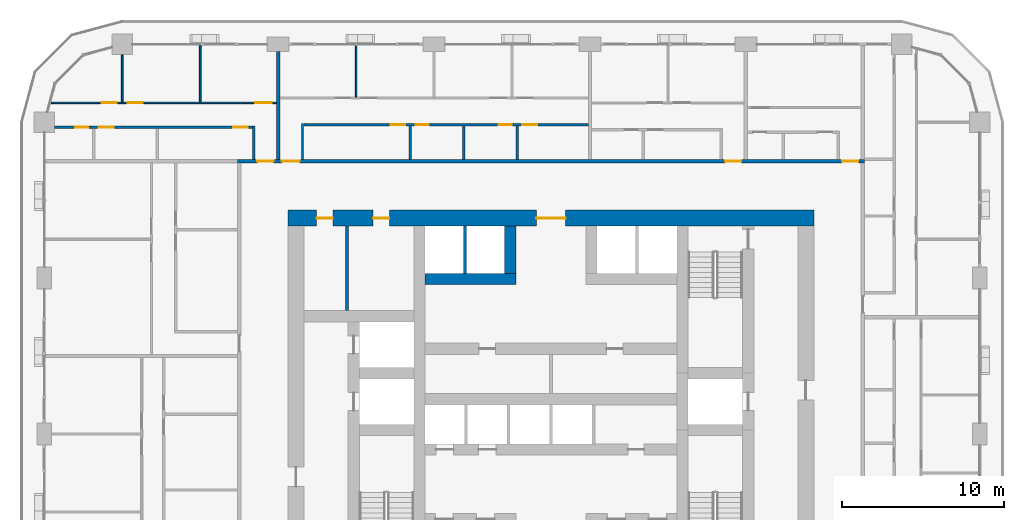
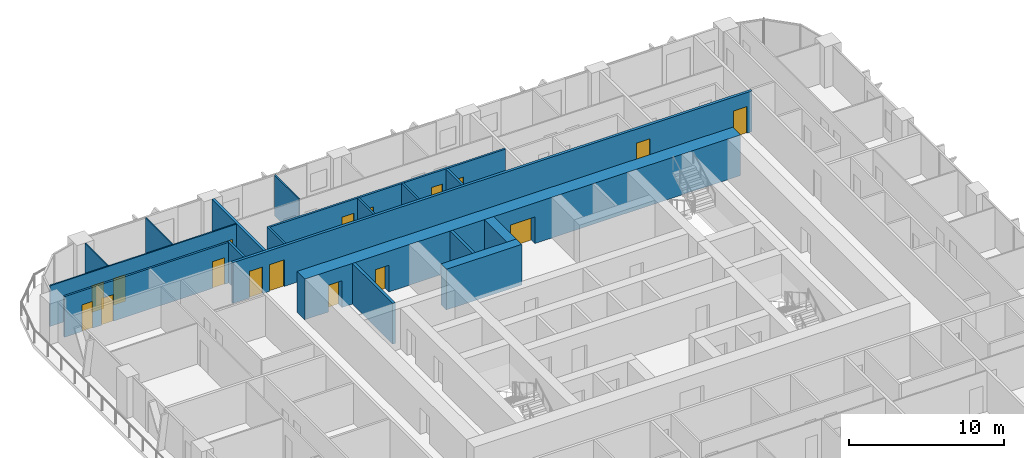
# One storey, part 13 of 21: 18 walls, 17 doors, 17 openings.
"""IFC4 building model written with IfcOpenShell, lengths in metres."""

from ifc_helpers import new_model, si_unit, direction, frame, frame_2d, origin, place, context, subcontext, project, spatial, rectangle, extrude, material, layer, layer_set, type_object, element, fill, save


model = new_model("IFC4")

# Units and contexts
model_context = context("Model", 3, precision=1e-05, world=origin(), true_north=direction((0.0, 1.0)))
body_context = subcontext(model_context, "Body", "Model", "MODEL_VIEW")
ifc_project = project(units=[si_unit("LENGTHUNIT", "METRE"), si_unit("AREAUNIT", "SQUARE_METRE"), si_unit("VOLUMEUNIT", "CUBIC_METRE"), si_unit("PLANEANGLEUNIT", "RADIAN"), si_unit("MASSUNIT", "GRAM", prefix="KILO")], contexts=[model_context])

# Site, building, storey
site_placement = place(None, origin())
site = spatial("IfcSite", under=ifc_project, at=site_placement, CompositionType="ELEMENT")
building_placement = place(site_placement, origin())
building = spatial("IfcBuilding", under=site, at=building_placement, Name="Madar Terraces", CompositionType="ELEMENT")
storey_placement = place(building_placement, frame((0.0, 0.0, 29.39990234375)))
storey = spatial("IfcBuildingStorey", under=building, at=storey_placement, Name="L06", CompositionType="ELEMENT", Elevation=29.39990234375)

# Walls
ifc_material_1 = material(Name="Concrete C80/95", Category="concrete")
ifc_layer_1 = layer(ifc_material_1, 0.699951171875)
ifc_layer_set_1 = layer_set([ifc_layer_1], Name="Concrete C80/95 (CIW1 RC wall 700)")
wall_type_1 = type_object("IfcWallType", Name="CIW1 RC wall 700", PredefinedType="SHEAR", material=ifc_layer_set_1)
wall_1_placement = place(storey_placement, frame((23.449951171875, 33.550048828125, 0.0), z_axis=(0.0, 0.0, 1.0), x_axis=(1.0, 0.0, 0.0)))
element("IfcWall", 1, at=wall_1_placement, inside=storey, type_object=wall_type_1, Name="CORE SHAFT WALL", PredefinedType="SHEAR", context=body_context, shape_type="SweptSolid", body=[
    extrude(rectangle(XDim=5.60009765625, YDim=0.699951171875, at=frame_2d((2.800048828125, 0.0))), origin(), (0.0, 0.0, 1.0), 3.2001953125),
])
wall_2_placement = place(storey_placement, frame((28.699951171875, 33.89990234375, 0.0), z_axis=(0.0, 0.0, 1.0), x_axis=(0.0, 1.0, 0.0)))
element("IfcWall", 2, at=wall_2_placement, inside=storey, type_object=wall_type_1, Name="CORE SHAFT WALL", PredefinedType="SHEAR", context=body_context, shape_type="SweptSolid", body=[
    extrude(rectangle(XDim=2.900146484375, YDim=0.699951171875, at=frame_2d((1.4501953125, 0.0))), origin(), (0.0, 0.0, 1.0), 3.2001953125),
])

# Wall, openings, doors
ifc_material_2 = material(Name="Concrete C80/95", Category="concrete")
ifc_layer_2 = layer(ifc_material_2, 1.0)
ifc_layer_set_2 = layer_set([ifc_layer_2], Name="Concrete C80/95 (CRW1 RC wall 1000)")
wall_type_2 = type_object("IfcWallType", Name="CRW1 RC wall 1000", PredefinedType="SHEAR", material=ifc_layer_set_2)
wall_3_placement = place(storey_placement, frame((15.0, 37.300048828125, 0.0), z_axis=(0.0, 0.0, 1.0), x_axis=(1.0, 0.0, 0.0)))
wall_3 = element("IfcWall", 3, at=wall_3_placement, inside=storey, type_object=wall_type_2, Name="CORE OUTER WALL", PredefinedType="SHEAR", context=body_context, shape_type="SweptSolid", body=[
    extrude(rectangle(XDim=32.39990234375, YDim=1.0, at=frame_2d((16.199951171875, 0.0))), origin(), (0.0, 0.0, 1.0), 3.2001953125),
])
opening_1_placement = place(wall_3_placement, frame((15.300048828125, 0.0, 0.0)))
opening_1 = element("IfcOpeningElement", 4, at=opening_1_placement, cuts=wall_3, Name="Opening KD1", PredefinedType="OPENING", context=body_context, shape_type="SweptSolid", body=[
    extrude(rectangle(XDim=1.800048828125, YDim=2.10009765625, at=frame_2d((0.89990234375, 1.050048828125))), frame((0.0, 0.510009765625, 0.0), z_axis=(0.0, -1.0, 0.0), x_axis=(1.0, 0.0, 0.0)), (0.0, 0.0, 1.0), 1.02001953125),
])
opening_2_placement = place(wall_3_placement, frame((1.766357421875, 0.0, 0.0)))
opening_2 = element("IfcOpeningElement", 5, at=opening_2_placement, cuts=wall_3, Name="Opening KD2", PredefinedType="OPENING", context=body_context, shape_type="SweptSolid", body=[
    extrude(rectangle(XDim=1.0, YDim=2.10009765625, at=frame_2d((0.5, 1.050048828125))), frame((0.0, 0.510009765625, 0.0), z_axis=(0.0, -1.0, 0.0), x_axis=(1.0, 0.0, 0.0)), (0.0, 0.0, 1.0), 1.02001953125),
])
opening_3_placement = place(wall_3_placement, frame((5.2412109375, 0.0, 0.0)))
opening_3 = element("IfcOpeningElement", 6, at=opening_3_placement, cuts=wall_3, Name="Opening KD2", PredefinedType="OPENING", context=body_context, shape_type="SweptSolid", body=[
    extrude(rectangle(XDim=1.0, YDim=2.10009765625, at=frame_2d((0.5, 1.050048828125))), frame((0.0, 0.510009765625, 0.0), z_axis=(0.0, -1.0, 0.0), x_axis=(1.0, 0.0, 0.0)), (0.0, 0.0, 1.0), 1.02001953125),
])
ifc_material_3 = material(Name="Steel door leaf", Category="steel")
door_type_1 = type_object("IfcDoorType", Name="Lobby door pair 1800 x 2100", OperationType="DOUBLE_DOOR_SINGLE_SWING", PredefinedType="DOOR", material=ifc_material_3)
door_1_placement = place(opening_1_placement, origin())
door_1 = element("IfcDoor", 7, at=door_1_placement, inside=storey, type_object=door_type_1, Name="LIFT LOBBY DOOR", OperationType="DOUBLE_DOOR_SINGLE_SWING", OverallHeight=2.10009765625, OverallWidth=1.800048828125, PredefinedType="DOOR", context=body_context, shape_type="SweptSolid", body=[
    extrude(rectangle(XDim=1.800048828125, YDim=2.10009765625, at=frame_2d((0.89990234375, 1.050048828125))), frame((0.0, 0.02490234375, 0.0), z_axis=(0.0, -1.0, 0.0), x_axis=(1.0, 0.0, 0.0)), (0.0, 0.0, 1.0), 0.050048828125),
])
fill(opening_1, door_1)
ifc_material_4 = material(Name="Steel door leaf", Category="steel")
door_type_2 = type_object("IfcDoorType", Name="Service room door 1000 x 2100", OperationType="NOTDEFINED", PredefinedType="DOOR", material=ifc_material_4)
door_2_placement = place(opening_2_placement, origin())
door_2 = element("IfcDoor", 8, at=door_2_placement, inside=storey, type_object=door_type_2, Name="SERVICE ROOM DOOR", OperationType="SINGLE_SWING_LEFT", OverallHeight=2.10009765625, OverallWidth=1.0, PredefinedType="DOOR", context=body_context, shape_type="SweptSolid", body=[
    extrude(rectangle(XDim=1.0, YDim=2.10009765625, at=frame_2d((0.5, 1.050048828125))), frame((0.0, 0.02490234375, 0.0), z_axis=(0.0, -1.0, 0.0), x_axis=(1.0, 0.0, 0.0)), (0.0, 0.0, 1.0), 0.050048828125),
])
fill(opening_2, door_2)
door_3_placement = place(opening_3_placement, origin())
door_3 = element("IfcDoor", 9, at=door_3_placement, inside=storey, type_object=door_type_2, Name="SERVICE ROOM DOOR", OperationType="SINGLE_SWING_RIGHT", OverallHeight=2.10009765625, OverallWidth=1.0, PredefinedType="DOOR", context=body_context, shape_type="SweptSolid", body=[
    extrude(rectangle(XDim=1.0, YDim=2.10009765625, at=frame_2d((0.5, 1.050048828125))), frame((0.0, 0.02490234375, 0.0), z_axis=(0.0, -1.0, 0.0), x_axis=(1.0, 0.0, 0.0)), (0.0, 0.0, 1.0), 0.050048828125),
])
fill(opening_3, door_3)

# Walls
ifc_material_5 = material(Name="Masonry blockwork", Category="masonry")
ifc_layer_3 = layer(ifc_material_5, 0.199951171875)
ifc_layer_set_3 = layer_set([ifc_layer_3], Name="Core partition 200 blockwork")
wall_type_3 = type_object("IfcWallType", Name="Core partition 200 blockwork", PredefinedType="PARTITIONING", material=ifc_layer_set_3)
wall_4_placement = place(storey_placement, frame((18.632568359375, 31.60009765625, 0.0), z_axis=(0.0, 0.0, 1.0), x_axis=(0.0, 1.0, 0.0)))
element("IfcWall", 10, at=wall_4_placement, inside=storey, type_object=wall_type_3, Name="SERVICE ROOM PARTITION", PredefinedType="PARTITIONING", context=body_context, shape_type="SweptSolid", body=[
    extrude(rectangle(XDim=5.199951171875, YDim=0.199951171875, at=frame_2d((2.60009765625, 0.0))), origin(), (0.0, 0.0, 1.0), 3.2001953125),
])
ifc_material_6 = material(Name="Concrete C40/50", Category="concrete")
ifc_layer_4 = layer(ifc_material_6, 0.199951171875)
ifc_layer_set_4 = layer_set([ifc_layer_4], Name="Core shaft dividing wall 200 C40/50")
wall_type_4 = type_object("IfcWallType", Name="Core shaft dividing wall 200 C40/50", PredefinedType="SOLIDWALL", material=ifc_layer_set_4)
wall_5_placement = place(storey_placement, frame((25.89990234375, 33.89990234375, 0.0), z_axis=(0.0, 0.0, 1.0), x_axis=(0.0, 1.0, 0.0)))
element("IfcWall", 11, at=wall_5_placement, inside=storey, type_object=wall_type_4, Name="SHAFT DIVIDING WALL", PredefinedType="SOLIDWALL", context=body_context, shape_type="SweptSolid", body=[
    extrude(rectangle(XDim=2.900146484375, YDim=0.199951171875, at=frame_2d((1.4501953125, 0.0))), origin(), (0.0, 0.0, 1.0), 3.2001953125),
])
ifc_material_7 = material(Name="Gypsum board on steel studs", Category="steel")
ifc_layer_5 = layer(ifc_material_7, 0.10009765625)
ifc_layer_set_5 = layer_set([ifc_layer_5], Name="Flat partition 100")
wall_type_5 = type_object("IfcWallType", Name="Flat partition 100", PredefinedType="PARTITIONING", material=ifc_layer_set_5)
wall_6_placement = place(storey_placement, frame((19.199951171875, 44.75, 0.0), z_axis=(0.0, 0.0, 1.0), x_axis=(0.0, 1.0, 0.0)))
element("IfcWall", 12, at=wall_6_placement, inside=storey, type_object=wall_type_5, Name="Flat partition 100", PredefinedType="PARTITIONING", context=body_context, shape_type="SweptSolid", body=[
    extrude(rectangle(XDim=3.14990234375, YDim=0.10009765625, at=frame_2d((1.574951171875, 0.0))), origin(), (0.0, 0.0, 1.0), 3.2001953125),
])
wall_7_placement = place(storey_placement, frame((9.60009765625, 44.449951171875, 0.0), z_axis=(0.0, 0.0, 1.0), x_axis=(0.0, 1.0, 0.0)))
element("IfcWall", 13, at=wall_7_placement, inside=storey, type_object=wall_type_5, Name="Flat partition 100", PredefinedType="PARTITIONING", context=body_context, shape_type="SweptSolid", body=[
    extrude(rectangle(XDim=3.449951171875, YDim=0.10009765625, at=frame_2d((1.72509765625, 0.0))), origin(), (0.0, 0.0, 1.0), 3.2001953125),
])
wall_8_placement = place(storey_placement, frame((4.800048828125, 44.449951171875, 0.0), z_axis=(0.0, 0.0, 1.0), x_axis=(0.0, 1.0, 0.0)))
element("IfcWall", 14, at=wall_8_placement, inside=storey, type_object=wall_type_5, Name="Flat partition 100", PredefinedType="PARTITIONING", context=body_context, shape_type="SweptSolid", body=[
    extrude(rectangle(XDim=2.925048828125, YDim=0.10009765625, at=frame_2d((1.46240234375, 0.0))), origin(), (0.0, 0.0, 1.0), 3.2001953125),
])

# Wall, openings, doors
wall_9_placement = place(storey_placement, frame((0.42138671875, 44.39990234375, 0.0), z_axis=(0.0, 0.0, 1.0), x_axis=(1.0, 0.0, 0.0)))
wall_9 = element("IfcWall", 15, at=wall_9_placement, inside=storey, type_object=wall_type_5, Name="Flat partition 100", PredefinedType="PARTITIONING", context=body_context, shape_type="SweptSolid", body=[
    extrude(rectangle(XDim=13.878662109375, YDim=0.10009765625, at=frame_2d((6.939453125, 0.0))), origin(), (0.0, 0.0, 1.0), 3.2001953125),
])
opening_4_placement = place(wall_9_placement, frame((12.57861328125, 0.0, 0.0)))
opening_4 = element("IfcOpeningElement", 16, at=opening_4_placement, cuts=wall_9, Name="Opening D3", PredefinedType="OPENING", context=body_context, shape_type="SweptSolid", body=[
    extrude(rectangle(XDim=1.0, YDim=2.10009765625, at=frame_2d((0.5, 1.050048828125))), frame((0.0, 0.06005859375, 0.0), z_axis=(0.0, -1.0, 0.0), x_axis=(1.0, 0.0, 0.0)), (0.0, 0.0, 1.0), 0.1201171875),
])
opening_5_placement = place(wall_9_placement, frame((4.728515625, 0.0, 0.0)))
opening_5 = element("IfcOpeningElement", 17, at=opening_5_placement, cuts=wall_9, Name="Opening D2", PredefinedType="OPENING", context=body_context, shape_type="SweptSolid", body=[
    extrude(rectangle(XDim=0.89990234375, YDim=2.10009765625, at=frame_2d((0.449951171875, 1.050048828125))), frame((0.0, 0.06005859375, 0.0), z_axis=(0.0, -1.0, 0.0), x_axis=(1.0, 0.0, 0.0)), (0.0, 0.0, 1.0), 0.1201171875),
])
opening_6_placement = place(wall_9_placement, frame((3.12841796875, 0.0, 0.0)))
opening_6 = element("IfcOpeningElement", 18, at=opening_6_placement, cuts=wall_9, Name="Opening D2", PredefinedType="OPENING", context=body_context, shape_type="SweptSolid", body=[
    extrude(rectangle(XDim=0.89990234375, YDim=2.10009765625, at=frame_2d((0.449951171875, 1.050048828125))), frame((0.0, 0.06005859375, 0.0), z_axis=(0.0, -1.0, 0.0), x_axis=(1.0, 0.0, 0.0)), (0.0, 0.0, 1.0), 0.1201171875),
])
ifc_material_8 = material(Name="Timber door leaf", Category="wood")
door_type_3 = type_object("IfcDoorType", Name="Flat living room door 1000", OperationType="NOTDEFINED", PredefinedType="DOOR", material=ifc_material_8)
door_4_placement = place(opening_4_placement, origin())
door_4 = element("IfcDoor", 19, at=door_4_placement, inside=storey, type_object=door_type_3, Name="Flat living room door 1000", OperationType="SINGLE_SWING_RIGHT", OverallHeight=2.10009765625, OverallWidth=1.0, PredefinedType="DOOR", context=body_context, shape_type="SweptSolid", body=[
    extrude(rectangle(XDim=1.0, YDim=2.10009765625, at=frame_2d((0.5, 1.050048828125))), frame((0.0, 0.02490234375, 0.0), z_axis=(0.0, -1.0, 0.0), x_axis=(1.0, 0.0, 0.0)), (0.0, 0.0, 1.0), 0.050048828125),
])
fill(opening_4, door_4)
ifc_material_9 = material(Name="Timber door leaf", Category="wood")
door_type_4 = type_object("IfcDoorType", Name="Flat room door 900", OperationType="NOTDEFINED", PredefinedType="DOOR", material=ifc_material_9)
door_5_placement = place(opening_5_placement, origin())
door_5 = element("IfcDoor", 20, at=door_5_placement, inside=storey, type_object=door_type_4, Name="Flat room door 900", OperationType="SINGLE_SWING_LEFT", OverallHeight=2.10009765625, OverallWidth=0.89990234375, PredefinedType="DOOR", context=body_context, shape_type="SweptSolid", body=[
    extrude(rectangle(XDim=0.89990234375, YDim=2.10009765625, at=frame_2d((0.449951171875, 1.050048828125))), frame((0.0, 0.02490234375, 0.0), z_axis=(0.0, -1.0, 0.0), x_axis=(1.0, 0.0, 0.0)), (0.0, 0.0, 1.0), 0.050048828125),
])
fill(opening_5, door_5)
door_6_placement = place(opening_6_placement, origin())
door_6 = element("IfcDoor", 21, at=door_6_placement, inside=storey, type_object=door_type_4, Name="Flat room door 900", OperationType="SINGLE_SWING_RIGHT", OverallHeight=2.10009765625, OverallWidth=0.89990234375, PredefinedType="DOOR", context=body_context, shape_type="SweptSolid", body=[
    extrude(rectangle(XDim=0.89990234375, YDim=2.10009765625, at=frame_2d((0.449951171875, 1.050048828125))), frame((0.0, 0.02490234375, 0.0), z_axis=(0.0, -1.0, 0.0), x_axis=(1.0, 0.0, 0.0)), (0.0, 0.0, 1.0), 0.050048828125),
])
fill(opening_6, door_6)

ifc_material_10 = material(Name="Lightweight blockwork", Category="masonry")
ifc_layer_6 = layer(ifc_material_10, 0.199951171875)
ifc_layer_set_6 = layer_set([ifc_layer_6], Name="Flat party and entrance wall 200")
wall_type_6 = type_object("IfcWallType", Name="Flat party and entrance wall 200", PredefinedType="PARTITIONING", material=ifc_layer_set_6)
wall_10_placement = place(storey_placement, frame((11.89990234375, 40.800048828125, 0.0), z_axis=(0.0, 0.0, 1.0), x_axis=(1.0, 0.0, 0.0)))
wall_10 = element("IfcWall", 22, at=wall_10_placement, inside=storey, type_object=wall_type_6, Name="Flat party and entrance wall 200", PredefinedType="PARTITIONING", context=body_context, shape_type="SweptSolid", body=[
    extrude(rectangle(XDim=38.60009765625, YDim=0.199951171875, at=frame_2d((19.300048828125, 0.0))), origin(), (0.0, 0.0, 1.0), 3.2001953125),
])
opening_7_placement = place(wall_10_placement, frame((37.22509765625, 0.0, 0.0)))
opening_7 = element("IfcOpeningElement", 23, at=opening_7_placement, cuts=wall_10, Name="Opening D1", PredefinedType="OPENING", context=body_context, shape_type="SweptSolid", body=[
    extrude(rectangle(XDim=1.0, YDim=2.10009765625, at=frame_2d((0.5, 1.050048828125))), frame((0.0, 0.10986328125, 0.0), z_axis=(0.0, -1.0, 0.0), x_axis=(1.0, 0.0, 0.0)), (0.0, 0.0, 1.0), 0.219970703125),
])
opening_8_placement = place(wall_10_placement, frame((30.02490234375, 0.0, 0.0)))
opening_8 = element("IfcOpeningElement", 24, at=opening_8_placement, cuts=wall_10, Name="Opening D1", PredefinedType="OPENING", context=body_context, shape_type="SweptSolid", body=[
    extrude(rectangle(XDim=1.0, YDim=2.10009765625, at=frame_2d((0.5, 1.050048828125))), frame((0.0, 0.10986328125, 0.0), z_axis=(0.0, -1.0, 0.0), x_axis=(1.0, 0.0, 0.0)), (0.0, 0.0, 1.0), 0.219970703125),
])
opening_9_placement = place(wall_10_placement, frame((2.72509765625, 0.0, 0.0)))
opening_9 = element("IfcOpeningElement", 25, at=opening_9_placement, cuts=wall_10, Name="Opening D6", PredefinedType="OPENING", context=body_context, shape_type="SweptSolid", body=[
    extrude(rectangle(XDim=1.10009765625, YDim=2.10009765625, at=frame_2d((0.550048828125, 1.050048828125))), frame((0.0, 0.10986328125, 0.0), z_axis=(0.0, -1.0, 0.0), x_axis=(1.0, 0.0, 0.0)), (0.0, 0.0, 1.0), 0.219970703125),
])
opening_10_placement = place(wall_10_placement, frame((1.22509765625, 0.0, 0.0)))
opening_10 = element("IfcOpeningElement", 26, at=opening_10_placement, cuts=wall_10, Name="Opening D1", PredefinedType="OPENING", context=body_context, shape_type="SweptSolid", body=[
    extrude(rectangle(XDim=1.0, YDim=2.10009765625, at=frame_2d((0.5, 1.050048828125))), frame((0.0, 0.10986328125, 0.0), z_axis=(0.0, -1.0, 0.0), x_axis=(1.0, 0.0, 0.0)), (0.0, 0.0, 1.0), 0.219970703125),
])
ifc_material_11 = material(Name="Timber fire door leaf", Category="wood")
door_type_5 = type_object("IfcDoorType", Name="Flat entrance door 1000 FD30S", OperationType="NOTDEFINED", PredefinedType="DOOR", material=ifc_material_11)
door_7_placement = place(opening_7_placement, origin())
door_7 = element("IfcDoor", 27, at=door_7_placement, inside=storey, type_object=door_type_5, Name="Flat entrance door 1000 FD30S", OperationType="SINGLE_SWING_RIGHT", OverallHeight=2.10009765625, OverallWidth=1.0, PredefinedType="DOOR", context=body_context, shape_type="SweptSolid", body=[
    extrude(rectangle(XDim=1.0, YDim=2.10009765625, at=frame_2d((0.5, 1.050048828125))), frame((0.0, 0.02490234375, 0.0), z_axis=(0.0, -1.0, 0.0), x_axis=(1.0, 0.0, 0.0)), (0.0, 0.0, 1.0), 0.050048828125),
])
fill(opening_7, door_7)
door_8_placement = place(opening_8_placement, origin())
door_8 = element("IfcDoor", 28, at=door_8_placement, inside=storey, type_object=door_type_5, Name="Flat entrance door 1000 FD30S", OperationType="SINGLE_SWING_RIGHT", OverallHeight=2.10009765625, OverallWidth=1.0, PredefinedType="DOOR", context=body_context, shape_type="SweptSolid", body=[
    extrude(rectangle(XDim=1.0, YDim=2.10009765625, at=frame_2d((0.5, 1.050048828125))), frame((0.0, 0.02490234375, 0.0), z_axis=(0.0, -1.0, 0.0), x_axis=(1.0, 0.0, 0.0)), (0.0, 0.0, 1.0), 0.050048828125),
])
fill(opening_8, door_8)
door_9_placement = place(opening_10_placement, origin())
door_9 = element("IfcDoor", 29, at=door_9_placement, inside=storey, type_object=door_type_5, Name="Flat entrance door 1000 FD30S", OperationType="SINGLE_SWING_RIGHT", OverallHeight=2.10009765625, OverallWidth=1.0, PredefinedType="DOOR", context=body_context, shape_type="SweptSolid", body=[
    extrude(rectangle(XDim=1.0, YDim=2.10009765625, at=frame_2d((0.5, 1.050048828125))), frame((0.0, 0.02490234375, 0.0), z_axis=(0.0, -1.0, 0.0), x_axis=(1.0, 0.0, 0.0)), (0.0, 0.0, 1.0), 0.050048828125),
])
fill(opening_10, door_9)
ifc_material_12 = material(Name="Timber fire door leaf", Category="wood")
door_type_6 = type_object("IfcDoorType", Name="Flat entrance door 1100 FD30S", OperationType="NOTDEFINED", PredefinedType="DOOR", material=ifc_material_12)
door_10_placement = place(opening_9_placement, origin())
door_10 = element("IfcDoor", 30, at=door_10_placement, inside=storey, type_object=door_type_6, Name="Flat entrance door 1100 FD30S", OperationType="SINGLE_SWING_LEFT", OverallHeight=2.10009765625, OverallWidth=1.10009765625, PredefinedType="DOOR", context=body_context, shape_type="SweptSolid", body=[
    extrude(rectangle(XDim=1.10009765625, YDim=2.10009765625, at=frame_2d((0.550048828125, 1.050048828125))), frame((0.0, 0.02490234375, 0.0), z_axis=(0.0, -1.0, 0.0), x_axis=(1.0, 0.0, 0.0)), (0.0, 0.0, 1.0), 0.050048828125),
])
fill(opening_9, door_10)

# Walls
wall_11_placement = place(storey_placement, frame((14.39990234375, 47.550048828125, 0.0), z_axis=(0.0, 0.0, 1.0), x_axis=(0.0, -1.0, 0.0)))
element("IfcWall", 31, at=wall_11_placement, inside=storey, type_object=wall_type_6, Name="Flat party and entrance wall 200", PredefinedType="PARTITIONING", context=body_context, shape_type="SweptSolid", body=[
    extrude(rectangle(XDim=6.650146484375, YDim=0.199951171875, at=frame_2d((3.3251953125, 0.0))), origin(), (0.0, 0.0, 1.0), 3.2001953125),
])
ifc_material_13 = material(Name="Lightweight blockwork", Category="masonry")
ifc_layer_7 = layer(ifc_material_13, 0.14990234375)
ifc_layer_set_7 = layer_set([ifc_layer_7], Name="Flat wet-room partition 150")
wall_type_7 = type_object("IfcWallType", Name="Flat wet-room partition 150", PredefinedType="PARTITIONING", material=ifc_layer_set_7)
for number, where, z_axis, x_axis, name in (
    (32, (22.546875, 40.89990234375, 0.0), (0.0, 0.0, 1.0), (0.0, 1.0, 0.0), "Flat wet-room partition 150"),
    (33, (25.832763671875, 40.89990234375, 0.0), (0.0, 0.0, 1.0), (0.0, 1.0, 0.0), "Flat wet-room partition 150"),
    (34, (29.11865234375, 40.89990234375, 0.0), (0.0, 0.0, 1.0), (0.0, 1.0, 0.0), "Flat wet-room partition 150"),
):
    element("IfcWall", number, at=place(storey_placement, frame(where, z_axis=z_axis, x_axis=x_axis)), inside=storey, type_object=wall_type_7, Name=name, PredefinedType="PARTITIONING", context=body_context, shape_type="SweptSolid", body=[
        extrude(rectangle(XDim=2.0751953125, YDim=0.14990234375, at=frame_2d((1.03759765625, 0.0))), origin(), (0.0, 0.0, 1.0), 3.2001953125),
    ])
wall_12_placement = place(storey_placement, frame((15.89990234375, 40.89990234375, 0.0), z_axis=(0.0, 0.0, 1.0), x_axis=(0.0, 1.0, 0.0)))
element("IfcWall", 35, at=wall_12_placement, inside=storey, type_object=wall_type_7, Name="Flat wet-room partition 150", PredefinedType="PARTITIONING", context=body_context, shape_type="SweptSolid", body=[
    extrude(rectangle(XDim=2.22509765625, YDim=0.14990234375, at=frame_2d((1.112548828125, 0.0))), origin(), (0.0, 0.0, 1.0), 3.2001953125),
])

# Wall, openings, doors
wall_13_placement = place(storey_placement, frame((33.5, 43.050048828125, 0.0), z_axis=(0.0, 0.0, 1.0), x_axis=(-1.0, 0.0, 0.0)))
wall_13 = element("IfcWall", 36, at=wall_13_placement, inside=storey, type_object=wall_type_7, Name="Flat wet-room partition 150", PredefinedType="PARTITIONING", context=body_context, shape_type="SweptSolid", body=[
    extrude(rectangle(XDim=17.52490234375, YDim=0.14990234375, at=frame_2d((8.762451171875, 0.0))), origin(), (0.0, 0.0, 1.0), 3.2001953125),
])
opening_11_placement = place(wall_13_placement, frame((11.278076171875, 0.0, 0.0)))
opening_11 = element("IfcOpeningElement", 37, at=opening_11_placement, cuts=wall_13, Name="Opening D2", PredefinedType="OPENING", context=body_context, shape_type="SweptSolid", body=[
    extrude(rectangle(XDim=0.89990234375, YDim=2.10009765625, at=frame_2d((0.449951171875, 1.050048828125))), frame((0.0, 0.0849609375, 0.0), z_axis=(0.0, -1.0, 0.0), x_axis=(1.0, 0.0, 0.0)), (0.0, 0.0, 1.0), 0.169921875),
])
opening_12_placement = place(wall_13_placement, frame((9.828125, 0.0, 0.0)))
opening_12 = element("IfcOpeningElement", 38, at=opening_12_placement, cuts=wall_13, Name="Opening D4", PredefinedType="OPENING", context=body_context, shape_type="SweptSolid", body=[
    extrude(rectangle(XDim=0.800048828125, YDim=2.10009765625, at=frame_2d((0.39990234375, 1.050048828125))), frame((0.0, 0.0849609375, 0.0), z_axis=(0.0, -1.0, 0.0), x_axis=(1.0, 0.0, 0.0)), (0.0, 0.0, 1.0), 0.169921875),
])
opening_13_placement = place(wall_13_placement, frame((4.706298828125, 0.0, 0.0)))
opening_13 = element("IfcOpeningElement", 39, at=opening_13_placement, cuts=wall_13, Name="Opening D7", PredefinedType="OPENING", context=body_context, shape_type="SweptSolid", body=[
    extrude(rectangle(XDim=0.800048828125, YDim=2.10009765625, at=frame_2d((0.39990234375, 1.050048828125))), frame((0.0, 0.0849609375, 0.0), z_axis=(0.0, -1.0, 0.0), x_axis=(1.0, 0.0, 0.0)), (0.0, 0.0, 1.0), 0.169921875),
])
opening_14_placement = place(wall_13_placement, frame((3.15625, 0.0, 0.0)))
opening_14 = element("IfcOpeningElement", 40, at=opening_14_placement, cuts=wall_13, Name="Opening D5", PredefinedType="OPENING", context=body_context, shape_type="SweptSolid", body=[
    extrude(rectangle(XDim=0.89990234375, YDim=2.10009765625, at=frame_2d((0.449951171875, 1.050048828125))), frame((0.0, 0.0849609375, 0.0), z_axis=(0.0, -1.0, 0.0), x_axis=(1.0, 0.0, 0.0)), (0.0, 0.0, 1.0), 0.169921875),
])
ifc_material_14 = material(Name="Timber door leaf", Category="wood")
door_type_7 = type_object("IfcDoorType", Name="Flat accessible bathroom door 900", OperationType="NOTDEFINED", PredefinedType="DOOR", material=ifc_material_14)
door_11_placement = place(opening_14_placement, origin())
door_11 = element("IfcDoor", 41, at=door_11_placement, inside=storey, type_object=door_type_7, Name="Flat accessible bathroom door 900", OperationType="SINGLE_SWING_RIGHT", OverallHeight=2.10009765625, OverallWidth=0.89990234375, PredefinedType="DOOR", context=body_context, shape_type="SweptSolid", body=[
    extrude(rectangle(XDim=0.89990234375, YDim=2.10009765625, at=frame_2d((0.449951171875, 1.050048828125))), frame((0.0, 0.02490234375, 0.0), z_axis=(0.0, -1.0, 0.0), x_axis=(1.0, 0.0, 0.0)), (0.0, 0.0, 1.0), 0.050048828125),
])
fill(opening_14, door_11)
ifc_material_15 = material(Name="Timber door leaf", Category="wood")
door_type_8 = type_object("IfcDoorType", Name="Flat bathroom door 800", OperationType="NOTDEFINED", PredefinedType="DOOR", material=ifc_material_15)
door_12_placement = place(opening_12_placement, origin())
door_12 = element("IfcDoor", 42, at=door_12_placement, inside=storey, type_object=door_type_8, Name="Flat bathroom door 800", OperationType="SINGLE_SWING_RIGHT", OverallHeight=2.10009765625, OverallWidth=0.800048828125, PredefinedType="DOOR", context=body_context, shape_type="SweptSolid", body=[
    extrude(rectangle(XDim=0.800048828125, YDim=2.10009765625, at=frame_2d((0.39990234375, 1.050048828125))), frame((0.0, 0.02490234375, 0.0), z_axis=(0.0, -1.0, 0.0), x_axis=(1.0, 0.0, 0.0)), (0.0, 0.0, 1.0), 0.050048828125),
])
fill(opening_12, door_12)
door_13_placement = place(opening_11_placement, origin())
door_13 = element("IfcDoor", 43, at=door_13_placement, inside=storey, type_object=door_type_4, Name="Flat room door 900", OperationType="SINGLE_SWING_LEFT", OverallHeight=2.10009765625, OverallWidth=0.89990234375, PredefinedType="DOOR", context=body_context, shape_type="SweptSolid", body=[
    extrude(rectangle(XDim=0.89990234375, YDim=2.10009765625, at=frame_2d((0.449951171875, 1.050048828125))), frame((0.0, 0.02490234375, 0.0), z_axis=(0.0, -1.0, 0.0), x_axis=(1.0, 0.0, 0.0)), (0.0, 0.0, 1.0), 0.050048828125),
])
fill(opening_11, door_13)
ifc_material_16 = material(Name="Timber door leaf", Category="wood")
door_type_9 = type_object("IfcDoorType", Name="Flat utility door 800", OperationType="NOTDEFINED", PredefinedType="DOOR", material=ifc_material_16)
door_14_placement = place(opening_13_placement, origin())
door_14 = element("IfcDoor", 44, at=door_14_placement, inside=storey, type_object=door_type_9, Name="Flat utility door 800", OperationType="SINGLE_SWING_LEFT", OverallHeight=2.10009765625, OverallWidth=0.800048828125, PredefinedType="DOOR", context=body_context, shape_type="SweptSolid", body=[
    extrude(rectangle(XDim=0.800048828125, YDim=2.10009765625, at=frame_2d((0.39990234375, 1.050048828125))), frame((0.0, 0.02490234375, 0.0), z_axis=(0.0, -1.0, 0.0), x_axis=(1.0, 0.0, 0.0)), (0.0, 0.0, 1.0), 0.050048828125),
])
fill(opening_13, door_14)

# Wall
wall_14_placement = place(storey_placement, frame((12.89990234375, 40.89990234375, 0.0), z_axis=(0.0, 0.0, 1.0), x_axis=(0.0, 1.0, 0.0)))
element("IfcWall", 45, at=wall_14_placement, inside=storey, type_object=wall_type_7, Name="Flat wet-room partition 150", PredefinedType="PARTITIONING", context=body_context, shape_type="SweptSolid", body=[
    extrude(rectangle(XDim=2.0751953125, YDim=0.14990234375, at=frame_2d((1.03759765625, 0.0))), origin(), (0.0, 0.0, 1.0), 3.2001953125),
])

# Wall, openings, doors
wall_15_placement = place(storey_placement, frame((12.824951171875, 42.89990234375, 0.0), z_axis=(0.0, 0.0, 1.0), x_axis=(-1.0, 0.0, 0.0)))
wall_15 = element("IfcWall", 46, at=wall_15_placement, inside=storey, type_object=wall_type_7, Name="Flat wet-room partition 150", PredefinedType="PARTITIONING", context=body_context, shape_type="SweptSolid", body=[
    extrude(rectangle(XDim=12.199951171875, YDim=0.14990234375, at=frame_2d((6.10009765625, 0.0))), origin(), (0.0, 0.0, 1.0), 3.2001953125),
])
opening_15_placement = place(wall_15_placement, frame((0.300048828125, 0.0, 0.0)))
opening_15 = element("IfcOpeningElement", 47, at=opening_15_placement, cuts=wall_15, Name="Opening D2", PredefinedType="OPENING", context=body_context, shape_type="SweptSolid", body=[
    extrude(rectangle(XDim=0.89990234375, YDim=2.10009765625, at=frame_2d((0.449951171875, 1.050048828125))), frame((0.0, 0.0849609375, 0.0), z_axis=(0.0, -1.0, 0.0), x_axis=(1.0, 0.0, 0.0)), (0.0, 0.0, 1.0), 0.169921875),
])
opening_16_placement = place(wall_15_placement, frame((8.5634765625, 0.0, 0.0)))
opening_16 = element("IfcOpeningElement", 48, at=opening_16_placement, cuts=wall_15, Name="Opening D5", PredefinedType="OPENING", context=body_context, shape_type="SweptSolid", body=[
    extrude(rectangle(XDim=0.89990234375, YDim=2.10009765625, at=frame_2d((0.449951171875, 1.050048828125))), frame((0.0, 0.0849609375, 0.0), z_axis=(0.0, -1.0, 0.0), x_axis=(1.0, 0.0, 0.0)), (0.0, 0.0, 1.0), 0.169921875),
])
opening_17_placement = place(wall_15_placement, frame((10.113525390625, 0.0, 0.0)))
opening_17 = element("IfcOpeningElement", 49, at=opening_17_placement, cuts=wall_15, Name="Opening D4", PredefinedType="OPENING", context=body_context, shape_type="SweptSolid", body=[
    extrude(rectangle(XDim=0.800048828125, YDim=2.10009765625, at=frame_2d((0.39990234375, 1.050048828125))), frame((0.0, 0.0849609375, 0.0), z_axis=(0.0, -1.0, 0.0), x_axis=(1.0, 0.0, 0.0)), (0.0, 0.0, 1.0), 0.169921875),
])
door_15_placement = place(opening_16_placement, origin())
door_15 = element("IfcDoor", 50, at=door_15_placement, inside=storey, type_object=door_type_7, Name="Flat accessible bathroom door 900", OperationType="SINGLE_SWING_RIGHT", OverallHeight=2.10009765625, OverallWidth=0.89990234375, PredefinedType="DOOR", context=body_context, shape_type="SweptSolid", body=[
    extrude(rectangle(XDim=0.89990234375, YDim=2.10009765625, at=frame_2d((0.449951171875, 1.050048828125))), frame((0.0, 0.02490234375, 0.0), z_axis=(0.0, -1.0, 0.0), x_axis=(1.0, 0.0, 0.0)), (0.0, 0.0, 1.0), 0.050048828125),
])
fill(opening_16, door_15)
door_16_placement = place(opening_17_placement, origin())
door_16 = element("IfcDoor", 51, at=door_16_placement, inside=storey, type_object=door_type_8, Name="Flat bathroom door 800", OperationType="SINGLE_SWING_LEFT", OverallHeight=2.10009765625, OverallWidth=0.800048828125, PredefinedType="DOOR", context=body_context, shape_type="SweptSolid", body=[
    extrude(rectangle(XDim=0.800048828125, YDim=2.10009765625, at=frame_2d((0.39990234375, 1.050048828125))), frame((0.0, 0.02490234375, 0.0), z_axis=(0.0, -1.0, 0.0), x_axis=(1.0, 0.0, 0.0)), (0.0, 0.0, 1.0), 0.050048828125),
])
fill(opening_17, door_16)
door_17_placement = place(opening_15_placement, origin())
door_17 = element("IfcDoor", 52, at=door_17_placement, inside=storey, type_object=door_type_4, Name="Flat room door 900", OperationType="SINGLE_SWING_LEFT", OverallHeight=2.10009765625, OverallWidth=0.89990234375, PredefinedType="DOOR", context=body_context, shape_type="SweptSolid", body=[
    extrude(rectangle(XDim=0.89990234375, YDim=2.10009765625, at=frame_2d((0.449951171875, 1.050048828125))), frame((0.0, 0.02490234375, 0.0), z_axis=(0.0, -1.0, 0.0), x_axis=(1.0, 0.0, 0.0)), (0.0, 0.0, 1.0), 0.050048828125),
])
fill(opening_15, door_17)

save(model, "model.ifc")
